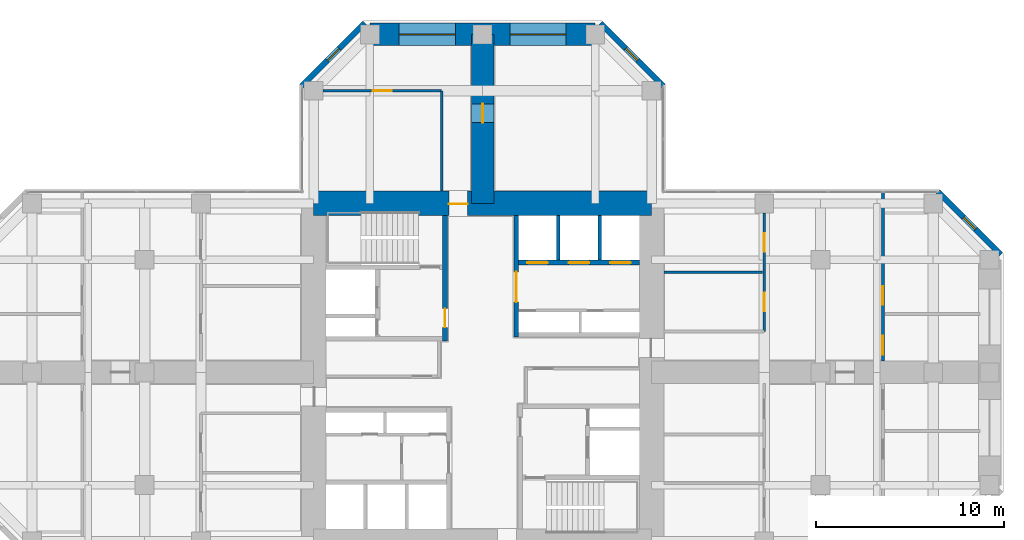
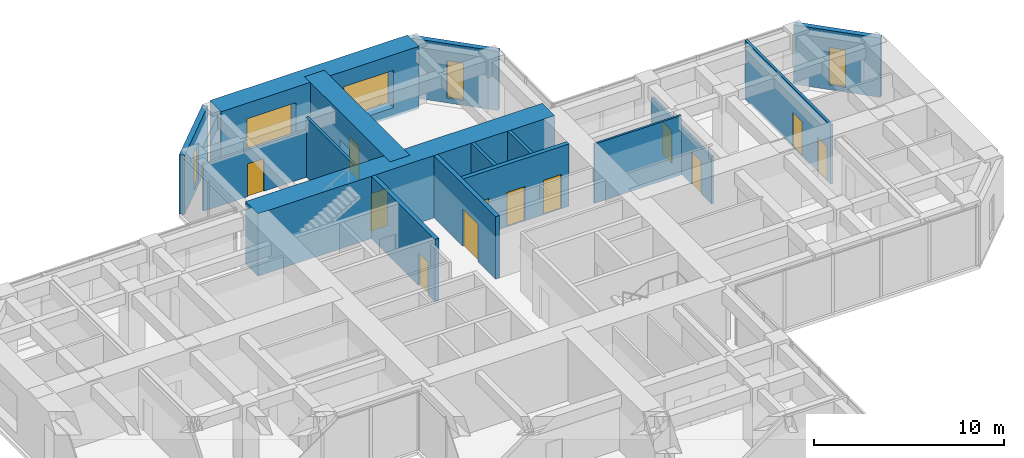
# One storey, part 11 of 13: 16 walls, 12 doors, 5 windows, 17 openings.
"""IFC4 building model written with IfcOpenShell, lengths in metres."""

from ifc_helpers import new_model, si_unit, direction, frame, frame_2d, origin, place, context, subcontext, project, spatial, rectangle, hollow_rectangle, extrude, material, layer, layer_set, constituent, constituent_set, type_object, element, fill, save


model = new_model("IFC4")

# Units and contexts
model_context = context("Model", 3, precision=1e-05, world=origin(), true_north=direction((0.0, 1.0)))
body_context = subcontext(model_context, "Body", "Model", "MODEL_VIEW")
ifc_project = project(units=[si_unit("LENGTHUNIT", "METRE"), si_unit("AREAUNIT", "SQUARE_METRE"), si_unit("VOLUMEUNIT", "CUBIC_METRE"), si_unit("PLANEANGLEUNIT", "RADIAN"), si_unit("MASSUNIT", "GRAM", prefix="KILO")], contexts=[model_context])

# Site, building, storey
site_placement = place(None, origin())
site = spatial("IfcSite", under=ifc_project, at=site_placement, CompositionType="ELEMENT")
building_placement = place(site_placement, origin())
building = spatial("IfcBuilding", under=site, at=building_placement, Name="Torre Cruceta", CompositionType="ELEMENT")
storey_placement = place(building_placement, frame((0.0, 0.0, 124.5)))
storey = spatial("IfcBuildingStorey", under=building, at=storey_placement, Name="L30", CompositionType="ELEMENT", Elevation=124.5)

# Wall, opening, door
ifc_material_1 = material(Name="Concrete G60 (fck 60 MPa)", Category="concrete")
ifc_layer_1 = layer(ifc_material_1, 0.25)
ifc_layer_set_1 = layer_set([ifc_layer_1], Name="Concrete G60 (fck 60 MPa)")
wall_type_1 = type_object("IfcWallType", Name="CORE INNER WALL 250 G60", PredefinedType="SHEAR", material=ifc_layer_set_1)
wall_1_placement = place(storey_placement, frame((1.800048828125, 1.875, 0.0), z_axis=(0.0, 0.0, 1.0), x_axis=(0.0, 1.0, 0.0)))
wall_1 = element("IfcWall", 1, at=wall_1_placement, inside=storey, type_object=wall_type_1, Name="CW4 L30 NE-CU", PredefinedType="SHEAR", context=body_context, shape_type="SweptSolid", body=[
    extrude(rectangle(XDim=6.47509765625, YDim=0.25, at=frame_2d((3.237548828125, 0.0))), origin(), (0.0, 0.0, 1.0), 4.0),
])
opening_1_placement = place(wall_1_placement, frame((1.875, 0.0, 0.0)))
opening_1 = element("IfcOpeningElement", 2, at=opening_1_placement, cuts=wall_1, Name="Opening D8", PredefinedType="OPENING", context=body_context, shape_type="SweptSolid", body=[
    extrude(rectangle(XDim=1.60009765625, YDim=2.39990234375, at=frame_2d((0.800048828125, 1.199951171875))), frame((0.0, 0.135009765625, 0.0), z_axis=(0.0, -1.0, 0.0), x_axis=(1.0, 0.0, 0.0)), (0.0, 0.0, 1.0), 0.27001953125),
])
ifc_material_2 = material(Name="Steel DX51D", Category="steel")
ifc_constituent_1 = constituent(ifc_material_2, Name="Leaf and frame")
ifc_material_3 = material(Name="Polyester powder coating", Category="paint")
ifc_constituent_2 = constituent(ifc_material_3, Name="Finish")
ifc_material_4 = material(Name="Fire-resisting glass", Category="glass")
ifc_constituent_3 = constituent(ifc_material_4, Name="Vision panel")
ifc_constituent_set_1 = constituent_set(constituents=[ifc_constituent_1, ifc_constituent_2, ifc_constituent_3], Name="Steel fire door with vision panels")
door_type_1 = type_object("IfcDoorType", Name="LIFT LOBBY DOUBLE DOOR 1600X2400", OperationType="DOUBLE_DOOR_DOUBLE_SWING", PredefinedType="DOOR", material=ifc_constituent_set_1)
door_1_placement = place(opening_1_placement, origin())
door_1 = element("IfcDoor", 3, at=door_1_placement, inside=storey, type_object=door_type_1, Name="D8 L30 NE-LOBBY", OperationType="DOUBLE_DOOR_DOUBLE_SWING", OverallHeight=2.39990234375, OverallWidth=1.60009765625, PredefinedType="DOOR", context=body_context, shape_type="SweptSolid", body=[
    extrude(rectangle(XDim=1.60009765625, YDim=2.39990234375, at=frame_2d((0.800048828125, 1.199951171875))), frame((0.0, 0.02490234375, 0.0), z_axis=(0.0, -1.0, 0.0), x_axis=(1.0, 0.0, 0.0)), (0.0, 0.0, 1.0), 0.050048828125),
])
fill(opening_1, door_1)

# Wall, openings, doors
wall_2_placement = place(storey_placement, frame((1.925048828125, 5.85009765625, 0.0), z_axis=(0.0, 0.0, 1.0), x_axis=(1.0, 0.0, 0.0)))
wall_2 = element("IfcWall", 4, at=wall_2_placement, inside=storey, type_object=wall_type_1, Name="CW4 L30 NE-LV", PredefinedType="SHEAR", context=body_context, shape_type="SweptSolid", body=[
    extrude(rectangle(XDim=6.425048828125, YDim=0.25, at=frame_2d((3.21240234375, 0.0))), origin(), (0.0, 0.0, 1.0), 4.0),
])
opening_2_placement = place(wall_2_placement, frame((0.4541015625, 0.0, 0.0)))
opening_2 = element("IfcOpeningElement", 5, at=opening_2_placement, cuts=wall_2, Name="Opening LD1", PredefinedType="OPENING", context=body_context, shape_type="SweptSolid", body=[
    extrude(rectangle(XDim=1.10009765625, YDim=2.199951171875, at=frame_2d((0.550048828125, 1.10009765625))), frame((0.0, 0.135009765625, 0.0), z_axis=(0.0, -1.0, 0.0), x_axis=(1.0, 0.0, 0.0)), (0.0, 0.0, 1.0), 0.27001953125),
])
opening_3_placement = place(wall_2_placement, frame((2.66259765625, 0.0, 0.0)))
opening_3 = element("IfcOpeningElement", 6, at=opening_3_placement, cuts=wall_2, Name="Opening LD1", PredefinedType="OPENING", context=body_context, shape_type="SweptSolid", body=[
    extrude(rectangle(XDim=1.10009765625, YDim=2.199951171875, at=frame_2d((0.550048828125, 1.10009765625))), frame((0.0, 0.135009765625, 0.0), z_axis=(0.0, -1.0, 0.0), x_axis=(1.0, 0.0, 0.0)), (0.0, 0.0, 1.0), 0.27001953125),
])
opening_4_placement = place(wall_2_placement, frame((4.870849609375, 0.0, 0.0)))
opening_4 = element("IfcOpeningElement", 7, at=opening_4_placement, cuts=wall_2, Name="Opening LD1", PredefinedType="OPENING", context=body_context, shape_type="SweptSolid", body=[
    extrude(rectangle(XDim=1.10009765625, YDim=2.199951171875, at=frame_2d((0.550048828125, 1.10009765625))), frame((0.0, 0.135009765625, 0.0), z_axis=(0.0, -1.0, 0.0), x_axis=(1.0, 0.0, 0.0)), (0.0, 0.0, 1.0), 0.27001953125),
])
ifc_material_5 = material(Name="Stainless steel 1.4401", Category="steel")
door_type_2 = type_object("IfcDoorType", Name="LIFT LANDING DOOR 1100X2200", OperationType="DOUBLE_DOOR_SLIDING", PredefinedType="DOOR", material=ifc_material_5)
door_2_placement = place(opening_2_placement, origin())
door_2 = element("IfcDoor", 8, at=door_2_placement, inside=storey, type_object=door_type_2, Name="Lift landing door P1", OperationType="DOUBLE_DOOR_SLIDING", OverallHeight=2.199951171875, OverallWidth=1.10009765625, PredefinedType="DOOR", context=body_context, shape_type="SweptSolid", body=[
    extrude(rectangle(XDim=1.10009765625, YDim=2.199951171875, at=frame_2d((0.550048828125, 1.10009765625))), frame((0.0, 0.02490234375, 0.0), z_axis=(0.0, -1.0, 0.0), x_axis=(1.0, 0.0, 0.0)), (0.0, 0.0, 1.0), 0.050048828125),
])
fill(opening_2, door_2)
door_3_placement = place(opening_3_placement, origin())
door_3 = element("IfcDoor", 9, at=door_3_placement, inside=storey, type_object=door_type_2, Name="Lift landing door P2", OperationType="DOUBLE_DOOR_SLIDING", OverallHeight=2.199951171875, OverallWidth=1.10009765625, PredefinedType="DOOR", context=body_context, shape_type="SweptSolid", body=[
    extrude(rectangle(XDim=1.10009765625, YDim=2.199951171875, at=frame_2d((0.550048828125, 1.10009765625))), frame((0.0, 0.02490234375, 0.0), z_axis=(0.0, -1.0, 0.0), x_axis=(1.0, 0.0, 0.0)), (0.0, 0.0, 1.0), 0.050048828125),
])
fill(opening_3, door_3)
door_4_placement = place(opening_4_placement, origin())
door_4 = element("IfcDoor", 10, at=door_4_placement, inside=storey, type_object=door_type_2, Name="Lift landing door P3", OperationType="DOUBLE_DOOR_SLIDING", OverallHeight=2.199951171875, OverallWidth=1.10009765625, PredefinedType="DOOR", context=body_context, shape_type="SweptSolid", body=[
    extrude(rectangle(XDim=1.10009765625, YDim=2.199951171875, at=frame_2d((0.550048828125, 1.10009765625))), frame((0.0, 0.02490234375, 0.0), z_axis=(0.0, -1.0, 0.0), x_axis=(1.0, 0.0, 0.0)), (0.0, 0.0, 1.0), 0.050048828125),
])
fill(opening_4, door_4)

# Wall, opening, door
wall_3_placement = place(storey_placement, frame((-2.0, 1.675048828125, 0.0), z_axis=(0.0, 0.0, 1.0), x_axis=(0.0, 1.0, 0.0)))
wall_3 = element("IfcWall", 11, at=wall_3_placement, inside=storey, type_object=wall_type_1, Name="CW4 L30 NW-CU", PredefinedType="SHEAR", context=body_context, shape_type="SweptSolid", body=[
    extrude(rectangle(XDim=6.675048828125, YDim=0.25, at=frame_2d((3.33740234375, 0.0))), origin(), (0.0, 0.0, 1.0), 4.0),
])
opening_5_placement = place(wall_3_placement, frame((0.72509765625, 0.0, 0.0)))
opening_5 = element("IfcOpeningElement", 12, at=opening_5_placement, cuts=wall_3, Name="Opening D3", PredefinedType="OPENING", context=body_context, shape_type="SweptSolid", body=[
    extrude(rectangle(XDim=1.0, YDim=2.10009765625, at=frame_2d((0.5, 1.050048828125))), frame((0.0, 0.135009765625, 0.0), z_axis=(0.0, -1.0, 0.0), x_axis=(1.0, 0.0, 0.0)), (0.0, 0.0, 1.0), 0.27001953125),
])
ifc_material_6 = material(Name="Steel DX51D", Category="steel")
ifc_constituent_4 = constituent(ifc_material_6, Name="Leaf and frame")
ifc_material_7 = material(Name="Polyester powder coating", Category="paint")
ifc_constituent_5 = constituent(ifc_material_7, Name="Finish")
ifc_constituent_set_2 = constituent_set(constituents=[ifc_constituent_4, ifc_constituent_5], Name="Steel fire door")
door_type_3 = type_object("IfcDoorType", Name="FIRE DOOR 1000X2100", OperationType="SINGLE_SWING_LEFT", PredefinedType="DOOR", material=ifc_constituent_set_2)
door_5_placement = place(opening_5_placement, origin())
door_5 = element("IfcDoor", 13, at=door_5_placement, inside=storey, type_object=door_type_3, Name="D3 L30 NW-LOBBY", OperationType="SINGLE_SWING_LEFT", OverallHeight=2.10009765625, OverallWidth=1.0, PredefinedType="DOOR", context=body_context, shape_type="SweptSolid", body=[
    extrude(rectangle(XDim=1.0, YDim=2.10009765625, at=frame_2d((0.5, 1.050048828125))), frame((0.0, 0.02490234375, 0.0), z_axis=(0.0, -1.0, 0.0), x_axis=(1.0, 0.0, 0.0)), (0.0, 0.0, 1.0), 0.050048828125),
])
fill(opening_5, door_5)

ifc_material_8 = material(Name="Concrete G60 (fck 60 MPa)", Category="concrete")
ifc_layer_2 = layer(ifc_material_8, 1.300048828125)
ifc_layer_set_2 = layer_set([ifc_layer_2], Name="Concrete G60 (fck 60 MPa)")
wall_type_2 = type_object("IfcWallType", Name="CORE WALL 1300 G60", PredefinedType="SHEAR", material=ifc_layer_set_2)
wall_4_placement = place(storey_placement, frame((9.0, 9.0, 0.0), z_axis=(0.0, 0.0, 1.0), x_axis=(-1.0, 0.0, 0.0)))
wall_4 = element("IfcWall", 14, at=wall_4_placement, inside=storey, type_object=wall_type_2, Name="CW1 L30 CW-N", PredefinedType="SHEAR", context=body_context, shape_type="SweptSolid", body=[
    extrude(rectangle(XDim=18.0, YDim=1.300048828125, at=frame_2d((9.0, 0.0))), origin(), (0.0, 0.0, 1.0), 4.0),
])
opening_6_placement = place(wall_4_placement, frame((9.800048828125, 0.0, 0.0)))
opening_6 = element("IfcOpeningElement", 15, at=opening_6_placement, cuts=wall_4, Name="Opening D4", PredefinedType="OPENING", context=body_context, shape_type="SweptSolid", body=[
    extrude(rectangle(XDim=1.0, YDim=2.39990234375, at=frame_2d((0.5, 1.199951171875))), frame((0.0, 0.659912109375, 0.0), z_axis=(0.0, -1.0, 0.0), x_axis=(1.0, 0.0, 0.0)), (0.0, 0.0, 1.0), 1.320068359375),
])
ifc_material_9 = material(Name="Steel DX51D", Category="steel")
ifc_constituent_6 = constituent(ifc_material_9, Name="Leaf and frame")
ifc_material_10 = material(Name="Polyester powder coating", Category="paint")
ifc_constituent_7 = constituent(ifc_material_10, Name="Finish")
ifc_constituent_set_3 = constituent_set(constituents=[ifc_constituent_6, ifc_constituent_7], Name="Steel fire door")
door_type_4 = type_object("IfcDoorType", Name="CORE ARM DOOR 1000X2400", OperationType="SINGLE_SWING_RIGHT", PredefinedType="DOOR", material=ifc_constituent_set_3)
door_6_placement = place(opening_6_placement, frame((1.0, 0.0, 0.0), z_axis=(0.0, 0.0, 1.0), x_axis=(-1.0, 0.0, 0.0)))
door_6 = element("IfcDoor", 16, at=door_6_placement, inside=storey, type_object=door_type_4, Name="D4 L30 CW-N", OperationType="SINGLE_SWING_RIGHT", OverallHeight=2.39990234375, OverallWidth=1.0, PredefinedType="DOOR", context=body_context, shape_type="SweptSolid", body=[
    extrude(rectangle(XDim=1.0, YDim=2.39990234375, at=frame_2d((0.5, 1.199951171875))), frame((0.0, -0.005126953125, 0.0), z_axis=(0.0, -1.0, 0.0), x_axis=(1.0, 0.0, 0.0)), (0.0, 0.0, 1.0), 0.050048828125),
])
fill(opening_6, door_6)

# Wall, opening, window
ifc_material_11 = material(Name="Concrete G30 (fck 30 MPa)", Category="concrete")
ifc_layer_3 = layer(ifc_material_11, 0.300048828125)
ifc_layer_set_3 = layer_set([ifc_layer_3], Name="Concrete G30 (fck 30 MPa)")
wall_type_3 = type_object("IfcWallType", Name="EXPOSED CONCRETE FACADE WALL 300", PredefinedType="SOLIDWALL", material=ifc_layer_set_3)
wall_5_placement = place(storey_placement, frame((27.60009765625, 6.27685546875, 0.0), z_axis=(0.0, 0.0, 1.0), x_axis=(-0.707106781187, 0.707106781187, 0.0)))
wall_5 = element("IfcWall", 17, at=wall_5_placement, inside=storey, type_object=wall_type_3, Name="EW1 facade wall L30 E chamfer 03", PredefinedType="SOLIDWALL", context=body_context, shape_type="SweptSolid", body=[
    extrude(rectangle(XDim=4.72802734375, YDim=0.300048828125, at=frame_2d((2.364013671875, 0.0))), origin(), (0.0, 0.0, 1.0), 3.800048828125),
])
opening_7_placement = place(wall_5_placement, frame((1.9140625, 0.0, 0.300048828125)))
opening_7 = element("IfcOpeningElement", 18, at=opening_7_placement, cuts=wall_5, Name="Opening WN5", PredefinedType="OPENING", context=body_context, shape_type="SweptSolid", body=[
    extrude(rectangle(XDim=0.89990234375, YDim=2.39990234375, at=frame_2d((0.449951171875, 1.199951171875))), frame((0.0, 0.159912109375, 0.0), z_axis=(0.0, -1.0, 0.0), x_axis=(1.0, 0.0, 0.0)), (0.0, 0.0, 1.0), 0.320068359375),
])
ifc_material_12 = material(Name="Aluminium window frame", Category="aluminium")
ifc_constituent_8 = constituent(ifc_material_12, Name="Frame")
ifc_material_13 = material(Name="Laminated insulating glass unit, low-iron clear", Category="glass")
ifc_constituent_9 = constituent(ifc_material_13, Name="Glazing")
ifc_constituent_set_4 = constituent_set(constituents=[ifc_constituent_8, ifc_constituent_9], Name="Aluminium window")
window_type_1 = type_object("IfcWindowType", Name="CHAMFER SLOT WINDOW 900X2400", PartitioningType="SINGLE_PANEL", PredefinedType="WINDOW", material=ifc_constituent_set_4)
window_1_placement = place(opening_7_placement, origin())
window_1 = element("IfcWindow", 19, at=window_1_placement, inside=storey, type_object=window_type_1, Name="WN5 L30 E 1", OverallHeight=2.39990234375, OverallWidth=0.89990234375, PartitioningType="SINGLE_PANEL", PredefinedType="WINDOW", context=body_context, shape_type="SweptSolid", body=[
    extrude(hollow_rectangle(XDim=0.89990234375, YDim=2.39990234375, WallThickness=0.06005859375, at=frame_2d((0.449951171875, 1.199951171875))), frame((0.0, 0.030029296875, 0.0), z_axis=(0.0, -1.0, 0.0), x_axis=(1.0, 0.0, 0.0)), (0.0, 0.0, 1.0), 0.06005859375),
    extrude(rectangle(XDim=0.77880859375, YDim=2.27880859375, at=frame_2d((0.449951171875, 1.199951171875))), frame((0.0, 0.030029296875, 0.0), z_axis=(0.0, -1.0, 0.0), x_axis=(1.0, 0.0, 0.0)), (0.0, 0.0, 1.0), 0.06005859375),
])
fill(opening_7, window_1)

wall_6_placement = place(storey_placement, frame((9.6201171875, 15.2568359375, 0.0), z_axis=(0.0, 0.0, 1.0), x_axis=(-0.707106781187, 0.707106781187, 0.0)))
wall_6 = element("IfcWall", 20, at=wall_6_placement, inside=storey, type_object=wall_type_3, Name="EW1 facade wall L30 N chamfer 06", PredefinedType="SOLIDWALL", context=body_context, shape_type="SweptSolid", body=[
    extrude(rectangle(XDim=4.72802734375, YDim=0.300048828125, at=frame_2d((2.364013671875, 0.0))), origin(), (0.0, 0.0, 1.0), 3.800048828125),
])
opening_8_placement = place(wall_6_placement, frame((1.9140625, 0.0, 0.300048828125)))
opening_8 = element("IfcOpeningElement", 21, at=opening_8_placement, cuts=wall_6, Name="Opening WN5", PredefinedType="OPENING", context=body_context, shape_type="SweptSolid", body=[
    extrude(rectangle(XDim=0.89990234375, YDim=2.39990234375, at=frame_2d((0.449951171875, 1.199951171875))), frame((0.0, 0.159912109375, 0.0), z_axis=(0.0, -1.0, 0.0), x_axis=(1.0, 0.0, 0.0)), (0.0, 0.0, 1.0), 0.320068359375),
])
window_2_placement = place(opening_8_placement, origin())
window_2 = element("IfcWindow", 22, at=window_2_placement, inside=storey, type_object=window_type_1, Name="WN5 L30 N 1", OverallHeight=2.39990234375, OverallWidth=0.89990234375, PartitioningType="SINGLE_PANEL", PredefinedType="WINDOW", context=body_context, shape_type="SweptSolid", body=[
    extrude(hollow_rectangle(XDim=0.89990234375, YDim=2.39990234375, WallThickness=0.06005859375, at=frame_2d((0.449951171875, 1.199951171875))), frame((0.0, 0.030029296875, 0.0), z_axis=(0.0, -1.0, 0.0), x_axis=(1.0, 0.0, 0.0)), (0.0, 0.0, 1.0), 0.06005859375),
    extrude(rectangle(XDim=0.77880859375, YDim=2.27880859375, at=frame_2d((0.449951171875, 1.199951171875))), frame((0.0, 0.030029296875, 0.0), z_axis=(0.0, -1.0, 0.0), x_axis=(1.0, 0.0, 0.0)), (0.0, 0.0, 1.0), 0.06005859375),
])
fill(opening_8, window_2)

wall_7_placement = place(storey_placement, frame((-6.27685546875, 18.60009765625, 0.0), z_axis=(0.0, 0.0, 1.0), x_axis=(-0.707106781187, -0.707106781187, 0.0)))
wall_7 = element("IfcWall", 23, at=wall_7_placement, inside=storey, type_object=wall_type_3, Name="EW1 facade wall L30 N chamfer 08", PredefinedType="SOLIDWALL", context=body_context, shape_type="SweptSolid", body=[
    extrude(rectangle(XDim=4.72802734375, YDim=0.300048828125, at=frame_2d((2.364013671875, 0.0))), origin(), (0.0, 0.0, 1.0), 3.800048828125),
])
opening_9_placement = place(wall_7_placement, frame((1.9140625, 0.0, 0.300048828125)))
opening_9 = element("IfcOpeningElement", 24, at=opening_9_placement, cuts=wall_7, Name="Opening WN5", PredefinedType="OPENING", context=body_context, shape_type="SweptSolid", body=[
    extrude(rectangle(XDim=0.89990234375, YDim=2.39990234375, at=frame_2d((0.449951171875, 1.199951171875))), frame((0.0, 0.159912109375, 0.0), z_axis=(0.0, -1.0, 0.0), x_axis=(1.0, 0.0, 0.0)), (0.0, 0.0, 1.0), 0.320068359375),
])
window_3_placement = place(opening_9_placement, origin())
window_3 = element("IfcWindow", 25, at=window_3_placement, inside=storey, type_object=window_type_1, Name="WN5 L30 N 1", OverallHeight=2.39990234375, OverallWidth=0.89990234375, PartitioningType="SINGLE_PANEL", PredefinedType="WINDOW", context=body_context, shape_type="SweptSolid", body=[
    extrude(hollow_rectangle(XDim=0.89990234375, YDim=2.39990234375, WallThickness=0.06005859375, at=frame_2d((0.449951171875, 1.199951171875))), frame((0.0, 0.030029296875, 0.0), z_axis=(0.0, -1.0, 0.0), x_axis=(1.0, 0.0, 0.0)), (0.0, 0.0, 1.0), 0.06005859375),
    extrude(rectangle(XDim=0.77880859375, YDim=2.27880859375, at=frame_2d((0.449951171875, 1.199951171875))), frame((0.0, 0.030029296875, 0.0), z_axis=(0.0, -1.0, 0.0), x_axis=(1.0, 0.0, 0.0)), (0.0, 0.0, 1.0), 0.06005859375),
])
fill(opening_9, window_3)

# Walls
ifc_material_14 = material(Name="Concrete G35 (fck 35 MPa)", Category="concrete")
ifc_layer_4 = layer(ifc_material_14, 0.199951171875)
ifc_layer_set_4 = layer_set([ifc_layer_4], Name="Concrete G35 (fck 35 MPa)")
wall_type_4 = type_object("IfcWallType", Name="LIFT SHAFT WALL 200", PredefinedType="PARTITIONING", material=ifc_layer_set_4)
for number, where, z_axis, x_axis, name in (
    (26, (4.033447265625, 5.97509765625, 0.0), (0.0, 0.0, 1.0), (0.0, 1.0, 0.0), "SW1 L30 NE-LS1"),
    (27, (6.24169921875, 5.97509765625, 0.0), (0.0, 0.0, 1.0), (0.0, 1.0, 0.0), "SW1 L30 NE-LS2"),
):
    element("IfcWall", number, at=place(storey_placement, frame(where, z_axis=z_axis, x_axis=x_axis)), inside=storey, type_object=wall_type_4, Name=name, PredefinedType="PARTITIONING", context=body_context, shape_type="SweptSolid", body=[
        extrude(rectangle(XDim=2.375, YDim=0.199951171875, at=frame_2d((1.1875, 0.0))), origin(), (0.0, 0.0, 1.0), 4.0),
    ])

# Wall, openings, windows
ifc_material_15 = material(Name="Concrete G60 (fck 60 MPa)", Category="concrete")
ifc_layer_5 = layer(ifc_material_15, 1.199951171875)
ifc_layer_set_5 = layer_set([ifc_layer_5], Name="Concrete G60 (fck 60 MPa)")
wall_type_5 = type_object("IfcWallType", Name="NOSE WALL 1200 G60", PredefinedType="SHEAR", material=ifc_layer_set_5)
wall_8_placement = place(storey_placement, frame((6.0, 18.0, 0.0), z_axis=(0.0, 0.0, 1.0), x_axis=(-1.0, 0.0, 0.0)))
wall_8 = element("IfcWall", 28, at=wall_8_placement, inside=storey, type_object=wall_type_5, Name="NW1 nose wall L30 N", PredefinedType="SHEAR", context=body_context, shape_type="SweptSolid", body=[
    extrude(rectangle(XDim=12.0, YDim=1.199951171875, at=frame_2d((6.0, 0.0))), origin(), (0.0, 0.0, 1.0), 4.0),
])
opening_10_placement = place(wall_8_placement, frame((1.550048828125, 0.0, 0.60009765625)))
opening_10 = element("IfcOpeningElement", 29, at=opening_10_placement, cuts=wall_8, Name="Opening WN6", PredefinedType="OPENING", context=body_context, shape_type="SweptSolid", body=[
    extrude(rectangle(XDim=3.0, YDim=2.39990234375, at=frame_2d((1.5, 1.199951171875))), frame((0.0, 0.60986328125, 0.0), z_axis=(0.0, -1.0, 0.0), x_axis=(1.0, 0.0, 0.0)), (0.0, 0.0, 1.0), 1.219970703125),
])
opening_11_placement = place(wall_8_placement, frame((7.449951171875, 0.0, 0.60009765625)))
opening_11 = element("IfcOpeningElement", 30, at=opening_11_placement, cuts=wall_8, Name="Opening WN6", PredefinedType="OPENING", context=body_context, shape_type="SweptSolid", body=[
    extrude(rectangle(XDim=3.0, YDim=2.39990234375, at=frame_2d((1.5, 1.199951171875))), frame((0.0, 0.60986328125, 0.0), z_axis=(0.0, -1.0, 0.0), x_axis=(1.0, 0.0, 0.0)), (0.0, 0.0, 1.0), 1.219970703125),
])
ifc_material_16 = material(Name="Aluminium window frame", Category="aluminium")
ifc_constituent_10 = constituent(ifc_material_16, Name="Frame")
ifc_material_17 = material(Name="Laminated insulating glass unit, low-iron clear", Category="glass")
ifc_constituent_11 = constituent(ifc_material_17, Name="Glazing")
ifc_constituent_set_5 = constituent_set(constituents=[ifc_constituent_10, ifc_constituent_11], Name="Aluminium window")
window_type_2 = type_object("IfcWindowType", Name="NOSE WALL WINDOW 3000X2400", PartitioningType="SINGLE_PANEL", PredefinedType="WINDOW", material=ifc_constituent_set_5)
window_4_placement = place(opening_10_placement, origin())
window_4 = element("IfcWindow", 31, at=window_4_placement, inside=storey, type_object=window_type_2, Name="WN6 L30 N 1", OverallHeight=2.39990234375, OverallWidth=3.0, PartitioningType="SINGLE_PANEL", PredefinedType="WINDOW", context=body_context, shape_type="SweptSolid", body=[
    extrude(hollow_rectangle(XDim=3.0, YDim=2.39990234375, WallThickness=0.06005859375, at=frame_2d((1.5, 1.199951171875))), frame((0.0, 0.030029296875, 0.0), z_axis=(0.0, -1.0, 0.0), x_axis=(1.0, 0.0, 0.0)), (0.0, 0.0, 1.0), 0.06005859375),
    extrude(rectangle(XDim=2.87890625, YDim=2.27880859375, at=frame_2d((1.5, 1.199951171875))), frame((0.0, 0.030029296875, 0.0), z_axis=(0.0, -1.0, 0.0), x_axis=(1.0, 0.0, 0.0)), (0.0, 0.0, 1.0), 0.06005859375),
])
fill(opening_10, window_4)
window_5_placement = place(opening_11_placement, origin())
window_5 = element("IfcWindow", 32, at=window_5_placement, inside=storey, type_object=window_type_2, Name="WN6 L30 N 2", OverallHeight=2.39990234375, OverallWidth=3.0, PartitioningType="SINGLE_PANEL", PredefinedType="WINDOW", context=body_context, shape_type="SweptSolid", body=[
    extrude(hollow_rectangle(XDim=3.0, YDim=2.39990234375, WallThickness=0.06005859375, at=frame_2d((1.5, 1.199951171875))), frame((0.0, 0.030029296875, 0.0), z_axis=(0.0, -1.0, 0.0), x_axis=(1.0, 0.0, 0.0)), (0.0, 0.0, 1.0), 0.06005859375),
    extrude(rectangle(XDim=2.87890625, YDim=2.27880859375, at=frame_2d((1.5, 1.199951171875))), frame((0.0, 0.030029296875, 0.0), z_axis=(0.0, -1.0, 0.0), x_axis=(1.0, 0.0, 0.0)), (0.0, 0.0, 1.0), 0.06005859375),
])
fill(opening_11, window_5)

# Wall, opening, door
ifc_material_18 = material(Name="Plasterboard on steel studs", Category="steel")
ifc_layer_6 = layer(ifc_material_18, 0.14990234375)
ifc_layer_set_6 = layer_set([ifc_layer_6], Name="Plasterboard on steel studs")
wall_type_6 = type_object("IfcWallType", Name="PARTITION 150", PredefinedType="PARTITIONING", material=ifc_layer_set_6)
wall_9_placement = place(storey_placement, frame((-2.175048828125, 15.0, 0.0), z_axis=(0.0, 0.0, 1.0), x_axis=(-1.0, 0.0, 0.0)))
wall_9 = element("IfcWall", 33, at=wall_9_placement, inside=storey, type_object=wall_type_6, Name="PT1 L30-N-BFL", PredefinedType="PARTITIONING", context=body_context, shape_type="SweptSolid", body=[
    extrude(rectangle(XDim=6.324951171875, YDim=0.14990234375, at=frame_2d((3.16259765625, 0.0))), origin(), (0.0, 0.0, 1.0), 3.0),
])
opening_12_placement = place(wall_9_placement, frame((2.66259765625, 0.0, 0.0)))
opening_12 = element("IfcOpeningElement", 34, at=opening_12_placement, cuts=wall_9, Name="Opening D3", PredefinedType="OPENING", context=body_context, shape_type="SweptSolid", body=[
    extrude(rectangle(XDim=1.0, YDim=2.10009765625, at=frame_2d((0.5, 1.050048828125))), frame((0.0, 0.0849609375, 0.0), z_axis=(0.0, -1.0, 0.0), x_axis=(1.0, 0.0, 0.0)), (0.0, 0.0, 1.0), 0.169921875),
])
door_7_placement = place(opening_12_placement, frame((1.0, 0.0, 0.0), z_axis=(0.0, 0.0, 1.0), x_axis=(-1.0, 0.0, 0.0)))
door_7 = element("IfcDoor", 35, at=door_7_placement, inside=storey, type_object=door_type_3, Name="D3 L30-N-BFL-D1", OperationType="SINGLE_SWING_LEFT", OverallHeight=2.10009765625, OverallWidth=1.0, PredefinedType="DOOR", context=body_context, shape_type="SweptSolid", body=[
    extrude(rectangle(XDim=1.0, YDim=2.10009765625, at=frame_2d((0.5, 1.050048828125))), frame((0.0, 0.025146484375, 0.0), z_axis=(0.0, -1.0, 0.0), x_axis=(1.0, 0.0, 0.0)), (0.0, 0.0, 1.0), 0.050048828125),
])
fill(opening_12, door_7)

# Wall
wall_10_placement = place(storey_placement, frame((-2.175048828125, 9.64990234375, 0.0), z_axis=(0.0, 0.0, 1.0), x_axis=(0.0, 1.0, 0.0)))
element("IfcWall", 36, at=wall_10_placement, inside=storey, type_object=wall_type_6, Name="PT1 L30-N-BSL", PredefinedType="PARTITIONING", context=body_context, shape_type="SweptSolid", body=[
    extrude(rectangle(XDim=5.35009765625, YDim=0.14990234375, at=frame_2d((2.675048828125, 0.0))), origin(), (0.0, 0.0, 1.0), 3.800048828125),
])

# Wall, openings, doors
wall_11_placement = place(storey_placement, frame((15.0, 2.175048828125, 0.0), z_axis=(0.0, 0.0, 1.0), x_axis=(0.0, 1.0, 0.0)))
wall_11 = element("IfcWall", 37, at=wall_11_placement, inside=storey, type_object=wall_type_6, Name="PT1 L30-E-BFL", PredefinedType="PARTITIONING", context=body_context, shape_type="SweptSolid", body=[
    extrude(rectangle(XDim=6.324951171875, YDim=0.14990234375, at=frame_2d((3.16259765625, 0.0))), origin(), (0.0, 0.0, 1.0), 3.0),
])
opening_13_placement = place(wall_11_placement, frame((1.081298828125, 0.0, 0.0)))
opening_13 = element("IfcOpeningElement", 38, at=opening_13_placement, cuts=wall_11, Name="Opening D3", PredefinedType="OPENING", context=body_context, shape_type="SweptSolid", body=[
    extrude(rectangle(XDim=1.0, YDim=2.10009765625, at=frame_2d((0.5, 1.050048828125))), frame((0.0, 0.0849609375, 0.0), z_axis=(0.0, -1.0, 0.0), x_axis=(1.0, 0.0, 0.0)), (0.0, 0.0, 1.0), 0.169921875),
])
opening_14_placement = place(wall_11_placement, frame((4.243896484375, 0.0, 0.0)))
opening_14 = element("IfcOpeningElement", 39, at=opening_14_placement, cuts=wall_11, Name="Opening D3", PredefinedType="OPENING", context=body_context, shape_type="SweptSolid", body=[
    extrude(rectangle(XDim=1.0, YDim=2.10009765625, at=frame_2d((0.5, 1.050048828125))), frame((0.0, 0.0849609375, 0.0), z_axis=(0.0, -1.0, 0.0), x_axis=(1.0, 0.0, 0.0)), (0.0, 0.0, 1.0), 0.169921875),
])
door_8_placement = place(opening_13_placement, origin())
door_8 = element("IfcDoor", 40, at=door_8_placement, inside=storey, type_object=door_type_3, Name="D3 L30-E-BFL-D1", OperationType="SINGLE_SWING_LEFT", OverallHeight=2.10009765625, OverallWidth=1.0, PredefinedType="DOOR", context=body_context, shape_type="SweptSolid", body=[
    extrude(rectangle(XDim=1.0, YDim=2.10009765625, at=frame_2d((0.5, 1.050048828125))), frame((0.0, 0.02490234375, 0.0), z_axis=(0.0, -1.0, 0.0), x_axis=(1.0, 0.0, 0.0)), (0.0, 0.0, 1.0), 0.050048828125),
])
fill(opening_13, door_8)
door_9_placement = place(opening_14_placement, origin())
door_9 = element("IfcDoor", 41, at=door_9_placement, inside=storey, type_object=door_type_3, Name="D3 L30-E-BFL-D2", OperationType="SINGLE_SWING_LEFT", OverallHeight=2.10009765625, OverallWidth=1.0, PredefinedType="DOOR", context=body_context, shape_type="SweptSolid", body=[
    extrude(rectangle(XDim=1.0, YDim=2.10009765625, at=frame_2d((0.5, 1.050048828125))), frame((0.0, 0.02490234375, 0.0), z_axis=(0.0, -1.0, 0.0), x_axis=(1.0, 0.0, 0.0)), (0.0, 0.0, 1.0), 0.050048828125),
])
fill(opening_14, door_9)

wall_12_placement = place(storey_placement, frame((21.320068359375, 0.60009765625, 0.0), z_axis=(0.0, 0.0, 1.0), x_axis=(0.0, 1.0, 0.0)))
wall_12 = element("IfcWall", 42, at=wall_12_placement, inside=storey, type_object=wall_type_6, Name="PT1 L30-E-TWL", PredefinedType="PARTITIONING", context=body_context, shape_type="SweptSolid", body=[
    extrude(rectangle(XDim=8.97998046875, YDim=0.14990234375, at=frame_2d((4.489990234375, 0.0))), origin(), (0.0, 0.0, 1.0), 3.800048828125),
])
opening_15_placement = place(wall_12_placement, frame((0.35009765625, 0.0, 0.0)))
opening_15 = element("IfcOpeningElement", 43, at=opening_15_placement, cuts=wall_12, Name="Opening D14", PredefinedType="OPENING", context=body_context, shape_type="SweptSolid", body=[
    extrude(rectangle(XDim=1.0, YDim=2.199951171875, at=frame_2d((0.5, 1.10009765625))), frame((0.0, 0.0849609375, 0.0), z_axis=(0.0, -1.0, 0.0), x_axis=(1.0, 0.0, 0.0)), (0.0, 0.0, 1.0), 0.169921875),
])
opening_16_placement = place(wall_12_placement, frame((2.992919921875, 0.0, 0.0)))
opening_16 = element("IfcOpeningElement", 44, at=opening_16_placement, cuts=wall_12, Name="Opening D14", PredefinedType="OPENING", context=body_context, shape_type="SweptSolid", body=[
    extrude(rectangle(XDim=1.0, YDim=2.199951171875, at=frame_2d((0.5, 1.10009765625))), frame((0.0, 0.0849609375, 0.0), z_axis=(0.0, -1.0, 0.0), x_axis=(1.0, 0.0, 0.0)), (0.0, 0.0, 1.0), 0.169921875),
])
ifc_material_19 = material(Name="Steel DX51D", Category="steel")
ifc_constituent_12 = constituent(ifc_material_19, Name="Leaf and frame")
ifc_material_20 = material(Name="Polyester powder coating", Category="paint")
ifc_constituent_13 = constituent(ifc_material_20, Name="Finish")
ifc_material_21 = material(Name="Fire-resisting glass", Category="glass")
ifc_constituent_14 = constituent(ifc_material_21, Name="Vision panel")
ifc_constituent_set_6 = constituent_set(constituents=[ifc_constituent_12, ifc_constituent_13, ifc_constituent_14], Name="Steel fire door with vision panel")
door_type_5 = type_object("IfcDoorType", Name="FIRE DOOR VISION PANEL 1000X2200", OperationType="SINGLE_SWING_RIGHT", PredefinedType="DOOR", material=ifc_constituent_set_6)
door_10_placement = place(opening_15_placement, frame((1.0, 0.0, 0.0), z_axis=(0.0, 0.0, 1.0), x_axis=(-1.0, 0.0, 0.0)))
door_10 = element("IfcDoor", 45, at=door_10_placement, inside=storey, type_object=door_type_5, Name="D14 L30-E-TWL-D1", OperationType="SINGLE_SWING_RIGHT", OverallHeight=2.199951171875, OverallWidth=1.0, PredefinedType="DOOR", context=body_context, shape_type="SweptSolid", body=[
    extrude(rectangle(XDim=1.0, YDim=2.199951171875, at=frame_2d((0.5, 1.10009765625))), frame((0.0, 0.025146484375, 0.0), z_axis=(0.0, -1.0, 0.0), x_axis=(1.0, 0.0, 0.0)), (0.0, 0.0, 1.0), 0.050048828125),
])
fill(opening_15, door_10)
door_11_placement = place(opening_16_placement, frame((1.0, 0.0, 0.0), z_axis=(0.0, 0.0, 1.0), x_axis=(-1.0, 0.0, 0.0)))
door_11 = element("IfcDoor", 46, at=door_11_placement, inside=storey, type_object=door_type_5, Name="D14 L30-E-TWL-D2", OperationType="SINGLE_SWING_RIGHT", OverallHeight=2.199951171875, OverallWidth=1.0, PredefinedType="DOOR", context=body_context, shape_type="SweptSolid", body=[
    extrude(rectangle(XDim=1.0, YDim=2.199951171875, at=frame_2d((0.5, 1.10009765625))), frame((0.0, 0.025146484375, 0.0), z_axis=(0.0, -1.0, 0.0), x_axis=(1.0, 0.0, 0.0)), (0.0, 0.0, 1.0), 0.050048828125),
])
fill(opening_16, door_11)

# Wall, opening, door
ifc_material_22 = material(Name="Concrete G60 (fck 60 MPa)", Category="concrete")
ifc_layer_7 = layer(ifc_material_22, 1.199951171875)
ifc_layer_set_7 = layer_set([ifc_layer_7], Name="Concrete G60 (fck 60 MPa)")
wall_type_7 = type_object("IfcWallType", Name="SPINE WALL 1200 G60", PredefinedType="SHEAR", material=ifc_layer_set_7)
wall_13_placement = place(storey_placement, frame((0.0, 9.0, 0.0), z_axis=(0.0, 0.0, 1.0), x_axis=(0.0, 1.0, 0.0)))
wall_13 = element("IfcWall", 47, at=wall_13_placement, inside=storey, type_object=wall_type_7, Name="SW3 spine wall L30 N", PredefinedType="SHEAR", context=body_context, shape_type="SweptSolid", body=[
    extrude(rectangle(XDim=9.0, YDim=1.199951171875, at=frame_2d((4.5, 0.0))), origin(), (0.0, 0.0, 1.0), 4.0),
])
opening_17_placement = place(wall_13_placement, frame((4.300048828125, 0.0, 0.0)))
opening_17 = element("IfcOpeningElement", 48, at=opening_17_placement, cuts=wall_13, Name="Opening D14", PredefinedType="OPENING", context=body_context, shape_type="SweptSolid", body=[
    extrude(rectangle(XDim=1.0, YDim=2.199951171875, at=frame_2d((0.5, 1.10009765625))), frame((0.0, 0.60986328125, 0.0), z_axis=(0.0, -1.0, 0.0), x_axis=(1.0, 0.0, 0.0)), (0.0, 0.0, 1.0), 1.219970703125),
])
door_12_placement = place(opening_17_placement, origin())
door_12 = element("IfcDoor", 49, at=door_12_placement, inside=storey, type_object=door_type_5, Name="D14 L30-N-SP1", OperationType="SINGLE_SWING_RIGHT", OverallHeight=2.199951171875, OverallWidth=1.0, PredefinedType="DOOR", context=body_context, shape_type="SweptSolid", body=[
    extrude(rectangle(XDim=1.0, YDim=2.199951171875, at=frame_2d((0.5, 1.10009765625))), frame((0.0, 0.02490234375, 0.0), z_axis=(0.0, -1.0, 0.0), x_axis=(1.0, 0.0, 0.0)), (0.0, 0.0, 1.0), 0.050048828125),
])
fill(opening_17, door_12)

# Wall
ifc_material_23 = material(Name="Plasterboard on steel studs", Category="steel")
ifc_layer_8 = layer(ifc_material_23, 0.1201171875)
ifc_layer_set_8 = layer_set([ifc_layer_8], Name="Plasterboard on steel studs")
wall_type_8 = type_object("IfcWallType", Name="WC PARTITION 120", PredefinedType="PLUMBINGWALL", material=ifc_layer_set_8)
wall_14_placement = place(storey_placement, frame((9.64990234375, 5.33740234375, 0.0), z_axis=(0.0, 0.0, 1.0), x_axis=(1.0, 0.0, 0.0)))
element("IfcWall", 50, at=wall_14_placement, inside=storey, type_object=wall_type_8, Name="PT5 L30-E-BDL1", PredefinedType="PLUMBINGWALL", context=body_context, shape_type="SweptSolid", body=[
    extrude(rectangle(XDim=5.25, YDim=0.1201171875, at=frame_2d((2.625, 0.0))), origin(), (0.0, 0.0, 1.0), 3.800048828125),
])

save(model, "model.ifc")
